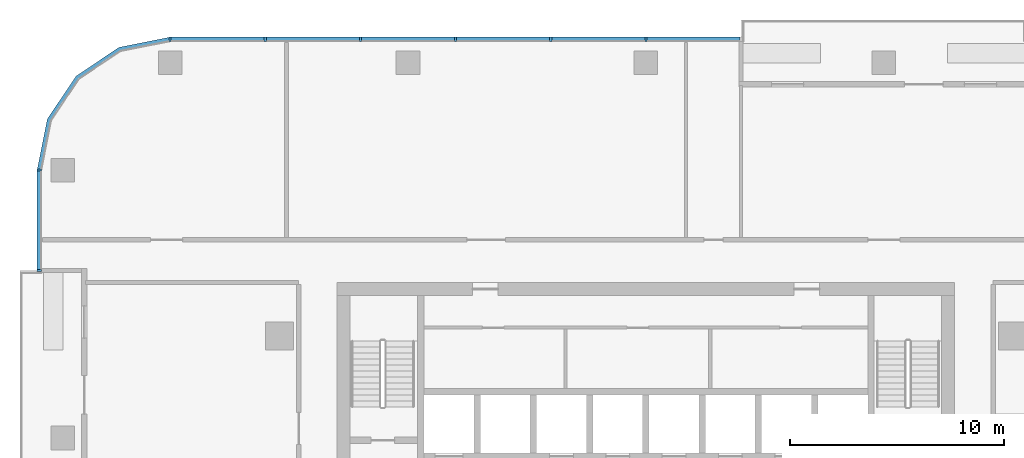
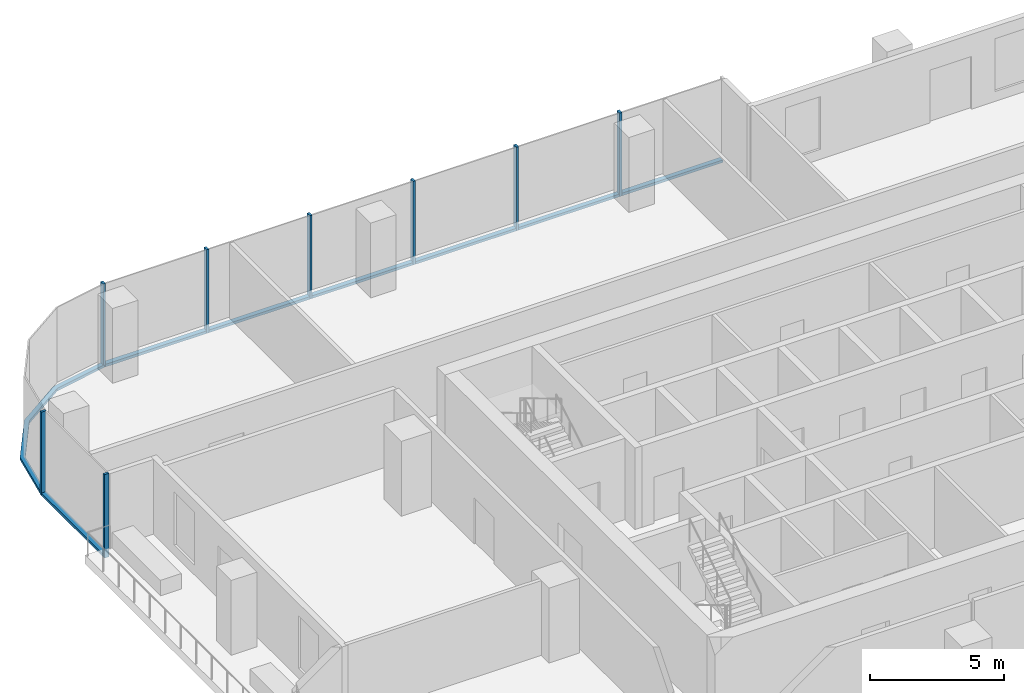
# One storey, part 4 of 14: 16 members, 3 elements without a shape of their own.
"""IFC4 building model written with IfcOpenShell, lengths in metres."""

from ifc_helpers import new_model, si_unit, direction, frame, origin, origin_2d, place, context, subcontext, project, spatial, polyline, rectangle, outline, extrude, material, material_profile, profile_set, type_object, element, aggregate, save


model = new_model("IFC4")

# Units and contexts
model_context = context("Model", 3, precision=1e-05, world=origin(), true_north=direction((0.0, 1.0)))
body_context = subcontext(model_context, "Body", "Model", "MODEL_VIEW")
ifc_project = project(units=[si_unit("LENGTHUNIT", "METRE"), si_unit("AREAUNIT", "SQUARE_METRE"), si_unit("VOLUMEUNIT", "CUBIC_METRE"), si_unit("PLANEANGLEUNIT", "RADIAN"), si_unit("MASSUNIT", "GRAM", prefix="KILO")], contexts=[model_context])

# Site, building, storey
site_placement = place(None, origin())
site = spatial("IfcSite", under=ifc_project, at=site_placement, CompositionType="ELEMENT")
building_placement = place(site_placement, origin())
building = spatial("IfcBuilding", under=site, at=building_placement, Name="Mopane Tessera Tower", CompositionType="ELEMENT")
storey_placement = place(building_placement, frame((0.0, 0.0, 255.0)))
storey = spatial("IfcBuildingStorey", under=building, at=storey_placement, Name="L55", CompositionType="ELEMENT", Elevation=255.0)

# Curtain wall, members
ifc_material_1 = material(Name="Aluminium frame", Category="aluminium")
curtain_wall_type = type_object("IfcCurtainWallType", Name="Unitised curtain wall", PredefinedType="NOTDEFINED", material=ifc_material_1)
curtain_wall_1_placement = place(storey_placement, origin())
curtain_wall_1 = element("IfcCurtainWall", 1, at=curtain_wall_1_placement, inside=storey, type_object=curtain_wall_type, Name="e:cw:L55:N:4", PredefinedType="NOTDEFINED")
ifc_material_2 = material(Name="Aluminium frame", Category="aluminium")
ifc_material_profile_1 = material_profile(ifc_material_2, rectangle(XDim=0.10009765625, YDim=0.199951171875, at=origin_2d()))
ifc_profile_set_1 = profile_set([ifc_material_profile_1], Name="Aluminium frame")
member_type_1 = type_object("IfcMemberType", Name="Aluminium mullion 100 x 200", PredefinedType="MULLION", material=ifc_profile_set_1)
member_1_placement = place(storey_placement, frame((0.0, 24.85009765625, -0.39990234375), z_axis=(0.0, 0.0, 1.0), x_axis=(-1.0, 0.0, 0.0)))
member_1 = element("IfcMember", 2, at=member_1_placement, type_object=member_type_1, Name="e:cw:L55:N:4:mu5", PredefinedType="MULLION", context=body_context, shape_type="SweptSolid", body=[
    extrude(rectangle(XDim=0.10009765625, YDim=0.199951171875, at=origin_2d()), origin(), (0.0, 0.0, 1.0), 3.7998046875),
])
member_2_placement = place(storey_placement, frame((-4.43994140625, 24.85009765625, -0.39990234375), z_axis=(0.0, 0.0, 1.0), x_axis=(-1.0, 0.0, 0.0)))
member_2 = element("IfcMember", 3, at=member_2_placement, type_object=member_type_1, Name="e:cw:L55:N:4:mu6", PredefinedType="MULLION", context=body_context, shape_type="SweptSolid", body=[
    extrude(rectangle(XDim=0.10009765625, YDim=0.199951171875, at=origin_2d()), origin(), (0.0, 0.0, 1.0), 3.7998046875),
])
member_3_placement = place(storey_placement, frame((-8.8798828125, 24.85009765625, -0.39990234375), z_axis=(0.0, 0.0, 1.0), x_axis=(-1.0, 0.0, 0.0)))
member_3 = element("IfcMember", 4, at=member_3_placement, type_object=member_type_1, Name="e:cw:L55:N:4:mu7", PredefinedType="MULLION", context=body_context, shape_type="SweptSolid", body=[
    extrude(rectangle(XDim=0.10009765625, YDim=0.199951171875, at=origin_2d()), origin(), (0.0, 0.0, 1.0), 3.7998046875),
])
member_4_placement = place(storey_placement, frame((-13.320068359375, 24.85009765625, -0.39990234375), z_axis=(0.0, 0.0, 1.0), x_axis=(-1.0, 0.0, 0.0)))
member_4 = element("IfcMember", 5, at=member_4_placement, type_object=member_type_1, Name="e:cw:L55:N:4:mu8", PredefinedType="MULLION", context=body_context, shape_type="SweptSolid", body=[
    extrude(rectangle(XDim=0.10009765625, YDim=0.199951171875, at=origin_2d()), origin(), (0.0, 0.0, 1.0), 3.7998046875),
])
member_5_placement = place(storey_placement, frame((-17.760009765625, 24.85009765625, -0.39990234375), z_axis=(0.0, 0.0, 1.0), x_axis=(-1.0, 0.0, 0.0)))
member_5 = element("IfcMember", 6, at=member_5_placement, type_object=member_type_1, Name="e:cw:L55:N:4:mu9", PredefinedType="MULLION", context=body_context, shape_type="SweptSolid", body=[
    extrude(rectangle(XDim=0.10009765625, YDim=0.199951171875, at=origin_2d()), origin(), (0.0, 0.0, 1.0), 3.7998046875),
])
member_6_placement = place(storey_placement, frame((-22.199951171875, 24.85009765625, -0.39990234375), z_axis=(0.0, 0.0, 1.0), x_axis=(-1.0, 0.0, 0.0)))
member_6 = element("IfcMember", 7, at=member_6_placement, type_object=member_type_1, Name="e:cw:L55:N:4:mu10", PredefinedType="MULLION", context=body_context, shape_type="SweptSolid", body=[
    extrude(rectangle(XDim=0.10009765625, YDim=0.199951171875, at=origin_2d()), origin(), (0.0, 0.0, 1.0), 3.7998046875),
])

curtain_wall_2_placement = place(storey_placement, origin())
curtain_wall_2 = element("IfcCurtainWall", 8, at=curtain_wall_2_placement, inside=storey, type_object=curtain_wall_type, Name="e:cw:L55:W:0", PredefinedType="NOTDEFINED")
member_7_placement = place(storey_placement, frame((-28.300048828125, 18.75, -0.39990234375), z_axis=(0.0, 0.0, 1.0), x_axis=(0.0, -1.0, 0.0)))
member_7 = element("IfcMember", 9, at=member_7_placement, type_object=member_type_1, Name="e:cw:L55:W:0:mu0", PredefinedType="MULLION", context=body_context, shape_type="SweptSolid", body=[
    extrude(rectangle(XDim=0.10009765625, YDim=0.199951171875, at=origin_2d()), origin(), (0.0, 0.0, 1.0), 3.7998046875),
])
member_8_placement = place(storey_placement, frame((-28.300048828125, 14.0625, -0.39990234375), z_axis=(0.0, 0.0, 1.0), x_axis=(0.0, -1.0, 0.0)))
member_8 = element("IfcMember", 10, at=member_8_placement, type_object=member_type_1, Name="e:cw:L55:W:0:mu1", PredefinedType="MULLION", context=body_context, shape_type="SweptSolid", body=[
    extrude(rectangle(XDim=0.10009765625, YDim=0.199951171875, at=origin_2d()), origin(), (0.0, 0.0, 1.0), 3.7998046875),
])

# Member
ifc_material_3 = material(Name="Aluminium frame", Category="aluminium")
ifc_material_profile_2 = material_profile(ifc_material_3, rectangle(XDim=0.199951171875, YDim=0.1201171875, at=origin_2d()))
ifc_profile_set_2 = profile_set([ifc_material_profile_2], Name="Aluminium frame")
member_type_2 = type_object("IfcMemberType", Name="Aluminium transom 200 x 120", PredefinedType="USERDEFINED", material=ifc_profile_set_2)
member_9_placement = place(storey_placement, frame((4.389892578125, 24.85009765625, -0.340087890625), z_axis=(-1.0, 0.0, 0.0), x_axis=(0.0, -1.0, 0.0)))
member_9 = element("IfcMember", 11, at=member_9_placement, type_object=member_type_2, Name="e:cw:L55:N:4:tr4", ObjectType="TRANSOM", PredefinedType="USERDEFINED", context=body_context, shape_type="SweptSolid", body=[
    extrude(rectangle(XDim=0.199951171875, YDim=0.1201171875, at=origin_2d()), origin(), (0.0, 0.0, 1.0), 4.33984375),
])

member_10_placement = place(storey_placement, frame((-0.050048828125, 24.85009765625, -0.340087890625), z_axis=(-1.0, 0.0, 0.0), x_axis=(0.0, -1.0, 0.0)))
member_10 = element("IfcMember", 12, at=member_10_placement, type_object=member_type_2, Name="e:cw:L55:N:4:tr5", ObjectType="TRANSOM", PredefinedType="USERDEFINED", context=body_context, shape_type="SweptSolid", body=[
    extrude(rectangle(XDim=0.199951171875, YDim=0.1201171875, at=origin_2d()), origin(), (0.0, 0.0, 1.0), 4.33984375),
])

member_11_placement = place(storey_placement, frame((-4.489990234375, 24.85009765625, -0.340087890625), z_axis=(-1.0, 0.0, 0.0), x_axis=(0.0, -1.0, 0.0)))
member_11 = element("IfcMember", 13, at=member_11_placement, type_object=member_type_2, Name="e:cw:L55:N:4:tr6", ObjectType="TRANSOM", PredefinedType="USERDEFINED", context=body_context, shape_type="SweptSolid", body=[
    extrude(rectangle(XDim=0.199951171875, YDim=0.1201171875, at=origin_2d()), origin(), (0.0, 0.0, 1.0), 4.340087890625),
])

member_12_placement = place(storey_placement, frame((-8.929931640625, 24.85009765625, -0.340087890625), z_axis=(-1.0, 0.0, 0.0), x_axis=(0.0, -1.0, 0.0)))
member_12 = element("IfcMember", 14, at=member_12_placement, type_object=member_type_2, Name="e:cw:L55:N:4:tr7", ObjectType="TRANSOM", PredefinedType="USERDEFINED", context=body_context, shape_type="SweptSolid", body=[
    extrude(rectangle(XDim=0.199951171875, YDim=0.1201171875, at=origin_2d()), origin(), (0.0, 0.0, 1.0), 4.340087890625),
])

member_13_placement = place(storey_placement, frame((-13.3701171875, 24.85009765625, -0.340087890625), z_axis=(-1.0, 0.0, 0.0), x_axis=(0.0, -1.0, 0.0)))
member_13 = element("IfcMember", 15, at=member_13_placement, type_object=member_type_2, Name="e:cw:L55:N:4:tr8", ObjectType="TRANSOM", PredefinedType="USERDEFINED", context=body_context, shape_type="SweptSolid", body=[
    extrude(rectangle(XDim=0.199951171875, YDim=0.1201171875, at=origin_2d()), origin(), (0.0, 0.0, 1.0), 4.33984375),
])

member_14_placement = place(storey_placement, frame((-17.81005859375, 24.85009765625, -0.340087890625), z_axis=(-1.0, 0.0, 0.0), x_axis=(0.0, -1.0, 0.0)))
member_14 = element("IfcMember", 16, at=member_14_placement, type_object=member_type_2, Name="e:cw:L55:N:4:tr9", ObjectType="TRANSOM", PredefinedType="USERDEFINED", context=body_context, shape_type="SweptSolid", body=[
    extrude(rectangle(XDim=0.199951171875, YDim=0.1201171875, at=origin_2d()), origin(), (0.0, 0.0, 1.0), 4.33984375),
])

aggregate(curtain_wall_1, [member_1, member_2, member_3, member_4, member_5, member_6, member_9, member_10, member_11, member_12, member_13, member_14])

# Curtain wall, member
curtain_wall_3_placement = place(storey_placement, origin())
curtain_wall_3 = element("IfcCurtainWall", 17, at=curtain_wall_3_placement, inside=storey, type_object=curtain_wall_type, Name="e:cw:L55:CN", PredefinedType="NOTDEFINED")
member_15_placement = place(storey_placement, frame((0.0, 0.0, -0.39990234375)))
member_15 = element("IfcMember", 18, at=member_15_placement, type_object=member_type_2, Name="e:cw:L55:CN:tr", ObjectType="TRANSOM", PredefinedType="USERDEFINED", context=body_context, shape_type="SweptSolid", body=[
    extrude(outline(polyline([(-22.199951171875, 24.75), (-24.49609375, 24.293212890625), (-26.442626953125, 22.99267578125), (-27.7431640625, 21.046142578125), (-28.199951171875, 18.75), (-28.39990234375, 18.75), (-27.927978515625, 21.12255859375), (-26.583984375, 23.134033203125), (-24.57275390625, 24.47802734375), (-22.199951171875, 24.949951171875), (-22.199951171875, 24.75)])), origin(), (0.0, 0.0, 1.0), 0.119873046875),
])
aggregate(curtain_wall_3, [member_15])

# Member
member_16_placement = place(storey_placement, frame((-28.300048828125, 18.699951171875, -0.340087890625), z_axis=(0.0, -1.0, 0.0), x_axis=(1.0, 0.0, 0.0)))
member_16 = element("IfcMember", 19, at=member_16_placement, type_object=member_type_2, Name="e:cw:L55:W:0:tr0", ObjectType="TRANSOM", PredefinedType="USERDEFINED", context=body_context, shape_type="SweptSolid", body=[
    extrude(rectangle(XDim=0.199951171875, YDim=0.1201171875, at=origin_2d()), origin(), (0.0, 0.0, 1.0), 4.58740234375),
])

aggregate(curtain_wall_2, [member_7, member_8, member_16])

save(model, "model.ifc")
